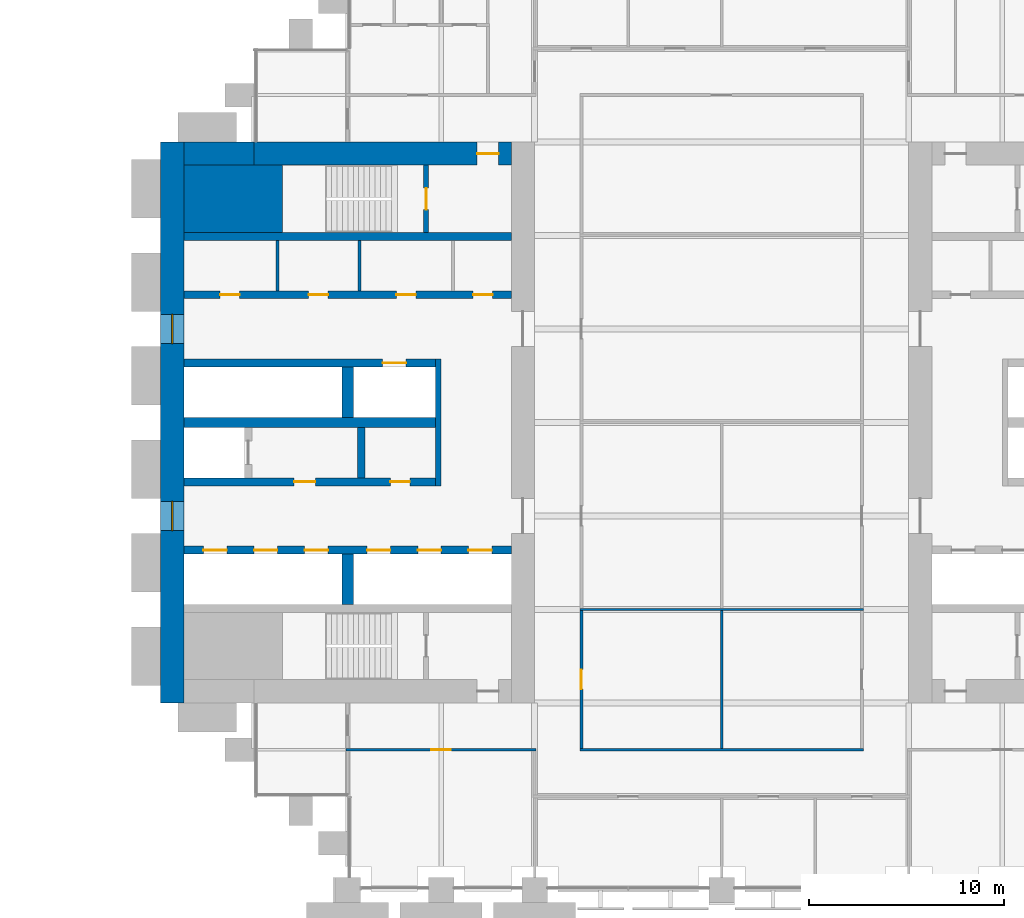
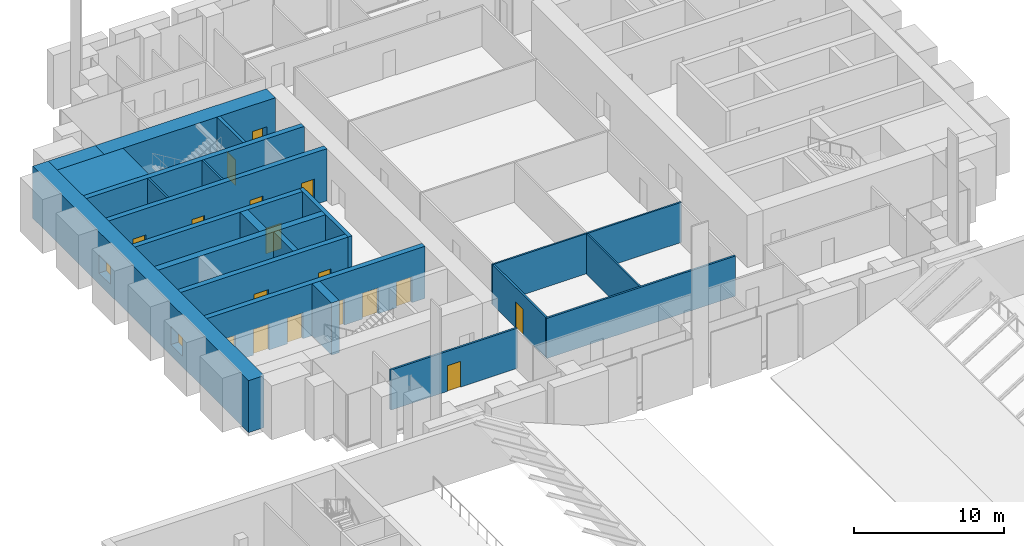
# One storey, part 21 of 32: 22 walls, 17 doors, 2 windows, 19 openings.
"""IFC4 building model written with IfcOpenShell, lengths in metres."""

from ifc_helpers import new_model, si_unit, direction, frame, frame_2d, origin, place, context, subcontext, project, spatial, rectangle, extrude, material, layer, layer_set, type_object, element, fill, save


model = new_model("IFC4")

# Units and contexts
model_context = context("Model", 3, precision=1e-05, world=origin(), true_north=direction((0.0, 1.0)))
body_context = subcontext(model_context, "Body", "Model", "MODEL_VIEW")
ifc_project = project(units=[si_unit("LENGTHUNIT", "METRE"), si_unit("AREAUNIT", "SQUARE_METRE"), si_unit("VOLUMEUNIT", "CUBIC_METRE"), si_unit("PLANEANGLEUNIT", "RADIAN"), si_unit("MASSUNIT", "GRAM", prefix="KILO")], contexts=[model_context])

# Site, building, storey
site_placement = place(None, origin())
site = spatial("IfcSite", under=ifc_project, at=site_placement, CompositionType="ELEMENT")
building_placement = place(site_placement, origin())
building = spatial("IfcBuilding", under=site, at=building_placement, Name="Baori Bourse Tower", CompositionType="ELEMENT")
storey_placement = place(building_placement, frame((0.0, 0.0, 12.60009765625)))
storey = spatial("IfcBuildingStorey", under=building, at=storey_placement, Name="L01", CompositionType="ELEMENT", Elevation=12.60009765625)

# Walls
ifc_material_1 = material(Name="Concrete f'c 70 MPa", Category="concrete")
wall_type_1 = type_object("IfcWallType", Name="Core corner block f'c 70", PredefinedType="SHEAR", material=ifc_material_1)
wall_1_placement = place(storey_placement, frame((1.199951171875, 35.47509765625, 0.0), z_axis=(0.0, 0.0, 1.0), x_axis=(1.0, 0.0, 0.0)))
element("IfcWall", 1, at=wall_1_placement, inside=storey, type_object=wall_type_1, Name="Core wall W22", PredefinedType="SHEAR", context=body_context, shape_type="SweptSolid", body=[
    extrude(rectangle(XDim=5.050048828125, YDim=3.449951171875, at=frame_2d((2.52490234375, 0.0))), origin(), (0.0, 0.0, 1.0), 4.239990234375),
])
ifc_material_2 = material(Name="Blockwork partition", Category="masonry")
ifc_layer_1 = layer(ifc_material_2, 0.14990234375)
ifc_layer_set_1 = layer_set([ifc_layer_1], Name="Core partition 150")
wall_type_2 = type_object("IfcWallType", Name="Core partition 150", PredefinedType="PARTITIONING", material=ifc_layer_set_1)
for number, where, z_axis, x_axis, name in (
    (2, (6.0, 30.75, 0.0), (0.0, 0.0, 1.0), (0.0, 1.0, 0.0), "Partition wall W18"),
    (3, (10.199951171875, 30.75, 0.0), (0.0, 0.0, 1.0), (0.0, 1.0, 0.0), "Partition wall W19"),
):
    element("IfcWall", number, at=place(storey_placement, frame(where, z_axis=z_axis, x_axis=x_axis)), inside=storey, type_object=wall_type_2, Name=name, PredefinedType="PARTITIONING", context=body_context, shape_type="SweptSolid", body=[
        extrude(rectangle(XDim=2.60009765625, YDim=0.14990234375, at=frame_2d((1.300048828125, 0.0))), origin(), (0.0, 0.0, 1.0), 4.239990234375),
    ])

# Wall, openings, windows
ifc_material_3 = material(Name="Concrete f'c 70 MPa", Category="concrete")
ifc_layer_2 = layer(ifc_material_3, 1.199951171875)
ifc_layer_set_2 = layer_set([ifc_layer_2], Name="Core wall 1200 f'c 70")
wall_type_3 = type_object("IfcWallType", Name="Core wall 1200 f'c 70", PredefinedType="SHEAR", material=ifc_layer_set_2)
wall_2_placement = place(storey_placement, frame((0.60009765625, 9.60009765625, 0.0), z_axis=(0.0, 0.0, 1.0), x_axis=(0.0, 1.0, 0.0)))
wall_2 = element("IfcWall", 4, at=wall_2_placement, inside=storey, type_object=wall_type_3, Name="Core wall W01", PredefinedType="SHEAR", context=body_context, shape_type="SweptSolid", body=[
    extrude(rectangle(XDim=28.7998046875, YDim=1.199951171875, at=frame_2d((14.39990234375, 0.0))), origin(), (0.0, 0.0, 1.0), 4.239990234375),
])
opening_1_placement = place(wall_2_placement, frame((8.85009765625, 0.0, 0.89990234375)))
opening_1 = element("IfcOpeningElement", 5, at=opening_1_placement, cuts=wall_2, Name="Opening L01-KW101", PredefinedType="OPENING", context=body_context, shape_type="SweptSolid", body=[
    extrude(rectangle(XDim=1.5, YDim=1.5, at=frame_2d((0.75, 0.75))), frame((0.0, 0.60986328125, 0.0), z_axis=(0.0, -1.0, 0.0), x_axis=(1.0, 0.0, 0.0)), (0.0, 0.0, 1.0), 1.219970703125),
])
opening_2_placement = place(wall_2_placement, frame((18.449951171875, 0.0, 0.89990234375)))
opening_2 = element("IfcOpeningElement", 6, at=opening_2_placement, cuts=wall_2, Name="Opening L01-KW102", PredefinedType="OPENING", context=body_context, shape_type="SweptSolid", body=[
    extrude(rectangle(XDim=1.5, YDim=1.5, at=frame_2d((0.75, 0.75))), frame((0.0, 0.60986328125, 0.0), z_axis=(0.0, -1.0, 0.0), x_axis=(1.0, 0.0, 0.0)), (0.0, 0.0, 1.0), 1.219970703125),
])
ifc_material_4 = material(Name="Pale anodised aluminium", Category="aluminium")
window_type = type_object("IfcWindowType", Name="Lobby window 1500 x 1500", PartitioningType="SINGLE_PANEL", PredefinedType="WINDOW", material=ifc_material_4)
window_1_placement = place(opening_1_placement, origin())
window_1 = element("IfcWindow", 7, at=window_1_placement, inside=storey, type_object=window_type, Name="Outer wall window W L01 1", OverallHeight=1.5, OverallWidth=1.5, PartitioningType="SINGLE_PANEL", PredefinedType="WINDOW", context=body_context, shape_type="SweptSolid", body=[
    extrude(rectangle(XDim=1.5, YDim=1.5, at=frame_2d((0.75, 0.75))), frame((0.0, 0.030029296875, 0.0), z_axis=(0.0, -1.0, 0.0), x_axis=(1.0, 0.0, 0.0)), (0.0, 0.0, 1.0), 0.06005859375),
])
fill(opening_1, window_1)
window_2_placement = place(opening_2_placement, origin())
window_2 = element("IfcWindow", 8, at=window_2_placement, inside=storey, type_object=window_type, Name="Outer wall window W L01 2", OverallHeight=1.5, OverallWidth=1.5, PartitioningType="SINGLE_PANEL", PredefinedType="WINDOW", context=body_context, shape_type="SweptSolid", body=[
    extrude(rectangle(XDim=1.5, YDim=1.5, at=frame_2d((0.75, 0.75))), frame((0.0, 0.030029296875, 0.0), z_axis=(0.0, -1.0, 0.0), x_axis=(1.0, 0.0, 0.0)), (0.0, 0.0, 1.0), 0.06005859375),
])
fill(opening_2, window_2)

# Wall
wall_3_placement = place(storey_placement, frame((1.199951171875, 37.800048828125, 0.0), z_axis=(0.0, 0.0, 1.0), x_axis=(1.0, 0.0, 0.0)))
element("IfcWall", 9, at=wall_3_placement, inside=storey, type_object=wall_type_3, Name="Core wall W24", PredefinedType="SHEAR", context=body_context, shape_type="SweptSolid", body=[
    extrude(rectangle(XDim=3.60009765625, YDim=1.199951171875, at=frame_2d((1.800048828125, 0.0))), origin(), (0.0, 0.0, 1.0), 4.239990234375),
])

# Wall, opening, door
wall_4_placement = place(storey_placement, frame((4.800048828125, 37.800048828125, 0.0), z_axis=(0.0, 0.0, 1.0), x_axis=(1.0, 0.0, 0.0)))
wall_4 = element("IfcWall", 10, at=wall_4_placement, inside=storey, type_object=wall_type_3, Name="Core wall W25", PredefinedType="SHEAR", context=body_context, shape_type="SweptSolid", body=[
    extrude(rectangle(XDim=13.199951171875, YDim=1.199951171875, at=frame_2d((6.60009765625, 0.0))), origin(), (0.0, 0.0, 1.0), 4.239990234375),
])
opening_3_placement = place(wall_4_placement, frame((11.449951171875, 0.0, 0.0)))
opening_3 = element("IfcOpeningElement", 11, at=opening_3_placement, cuts=wall_4, Name="Opening L01-D104", PredefinedType="OPENING", context=body_context, shape_type="SweptSolid", body=[
    extrude(rectangle(XDim=1.10009765625, YDim=2.10009765625, at=frame_2d((0.550048828125, 1.050048828125))), frame((0.0, 0.60986328125, 0.0), z_axis=(0.0, -1.0, 0.0), x_axis=(1.0, 0.0, 0.0)), (0.0, 0.0, 1.0), 1.219970703125),
])
ifc_material_5 = material(Name="Painted steel door", Category="steel")
door_type_1 = type_object("IfcDoorType", Name="Stair door 1100", OperationType="SINGLE_SWING_LEFT", PredefinedType="DOOR", material=ifc_material_5)
door_1_placement = place(opening_3_placement, origin())
door_1 = element("IfcDoor", 12, at=door_1_placement, inside=storey, type_object=door_type_1, Name="Stair vestibule door B W L01", OperationType="SINGLE_SWING_LEFT", OverallHeight=2.10009765625, OverallWidth=1.10009765625, PredefinedType="DOOR", context=body_context, shape_type="SweptSolid", body=[
    extrude(rectangle(XDim=1.10009765625, YDim=2.10009765625, at=frame_2d((0.550048828125, 1.050048828125))), frame((0.0, 0.02490234375, 0.0), z_axis=(0.0, -1.0, 0.0), x_axis=(1.0, 0.0, 0.0)), (0.0, 0.0, 1.0), 0.050048828125),
])
fill(opening_3, door_1)

ifc_material_6 = material(Name="Gypsum board partition")
ifc_layer_3 = layer(ifc_material_6, 0.14990234375)
ifc_layer_set_3 = layer_set([ifc_layer_3], Name="Corridor partition 150")
wall_type_4 = type_object("IfcWallType", Name="Corridor partition 150", PredefinedType="PARTITIONING", material=ifc_layer_set_3)
wall_5_placement = place(storey_placement, frame((9.52490234375, 7.199951171875, 0.0), z_axis=(0.0, 0.0, 1.0), x_axis=(1.0, 0.0, 0.0)))
wall_5 = element("IfcWall", 13, at=wall_5_placement, inside=storey, type_object=wall_type_4, Name="Partition", PredefinedType="PARTITIONING", context=body_context, shape_type="SweptSolid", body=[
    extrude(rectangle(XDim=9.75, YDim=0.14990234375, at=frame_2d((4.875, 0.0))), origin(), (0.0, 0.0, 1.0), 3.26953125),
])
opening_4_placement = place(wall_5_placement, frame((4.375, 0.0, 0.0)))
opening_4 = element("IfcOpeningElement", 14, at=opening_4_placement, cuts=wall_5, Name="Opening L01-D04", PredefinedType="OPENING", context=body_context, shape_type="SweptSolid", body=[
    extrude(rectangle(XDim=1.0, YDim=2.10009765625, at=frame_2d((0.5, 1.050048828125))), frame((0.0, 0.0849609375, 0.0), z_axis=(0.0, -1.0, 0.0), x_axis=(1.0, 0.0, 0.0)), (0.0, 0.0, 1.0), 0.169921875),
])
ifc_material_7 = material(Name="Timber door leaf", Category="wood")
door_type_2 = type_object("IfcDoorType", Name="Door 1000 x 2100", OperationType="SINGLE_SWING_LEFT", PredefinedType="DOOR", material=ifc_material_7)
door_2_placement = place(opening_4_placement, origin())
door_2 = element("IfcDoor", 15, at=door_2_placement, inside=storey, type_object=door_type_2, Name="Door", OperationType="SINGLE_SWING_RIGHT", OverallHeight=2.10009765625, OverallWidth=1.0, PredefinedType="DOOR", context=body_context, shape_type="SweptSolid", body=[
    extrude(rectangle(XDim=1.0, YDim=2.10009765625, at=frame_2d((0.5, 1.050048828125))), frame((0.0, 0.02490234375, 0.0), z_axis=(0.0, -1.0, 0.0), x_axis=(1.0, 0.0, 0.0)), (0.0, 0.0, 1.0), 0.050048828125),
])
fill(opening_4, door_2)

# Wall
wall_6_placement = place(storey_placement, frame((21.52490234375, 7.199951171875, 0.0), z_axis=(0.0, 0.0, 1.0), x_axis=(1.0, 0.0, 0.0)))
element("IfcWall", 16, at=wall_6_placement, inside=storey, type_object=wall_type_4, Name="Partition", PredefinedType="PARTITIONING", context=body_context, shape_type="SweptSolid", body=[
    extrude(rectangle(XDim=14.550048828125, YDim=0.14990234375, at=frame_2d((7.27490234375, 0.0))), origin(), (0.0, 0.0, 1.0), 3.26953125),
])

# Wall, opening, door
wall_7_placement = place(storey_placement, frame((21.60009765625, 7.27490234375, 0.0), z_axis=(0.0, 0.0, 1.0), x_axis=(0.0, 1.0, 0.0)))
wall_7 = element("IfcWall", 17, at=wall_7_placement, inside=storey, type_object=wall_type_4, Name="Partition", PredefinedType="PARTITIONING", context=body_context, shape_type="SweptSolid", body=[
    extrude(rectangle(XDim=7.0625, YDim=0.14990234375, at=frame_2d((3.53125, 0.0))), origin(), (0.0, 0.0, 1.0), 3.26953125),
])
opening_5_placement = place(wall_7_placement, frame((3.03125, 0.0, 0.0)))
opening_5 = element("IfcOpeningElement", 18, at=opening_5_placement, cuts=wall_7, Name="Opening L01-D18", PredefinedType="OPENING", context=body_context, shape_type="SweptSolid", body=[
    extrude(rectangle(XDim=1.0, YDim=2.10009765625, at=frame_2d((0.5, 1.050048828125))), frame((0.0, 0.0849609375, 0.0), z_axis=(0.0, -1.0, 0.0), x_axis=(1.0, 0.0, 0.0)), (0.0, 0.0, 1.0), 0.169921875),
])
door_3_placement = place(opening_5_placement, origin())
door_3 = element("IfcDoor", 19, at=door_3_placement, inside=storey, type_object=door_type_2, Name="Door", OperationType="SINGLE_SWING_LEFT", OverallHeight=2.10009765625, OverallWidth=1.0, PredefinedType="DOOR", context=body_context, shape_type="SweptSolid", body=[
    extrude(rectangle(XDim=1.0, YDim=2.10009765625, at=frame_2d((0.5, 1.050048828125))), frame((0.0, 0.02490234375, 0.0), z_axis=(0.0, -1.0, 0.0), x_axis=(1.0, 0.0, 0.0)), (0.0, 0.0, 1.0), 0.050048828125),
])
fill(opening_5, door_3)

# Walls
ifc_material_8 = material(Name="Gypsum board partition")
ifc_layer_4 = layer(ifc_material_8, 0.125)
ifc_layer_set_4 = layer_set([ifc_layer_4], Name="Partition 125")
wall_type_5 = type_object("IfcWallType", Name="Partition 125", PredefinedType="PARTITIONING", material=ifc_layer_set_4)
wall_8_placement = place(storey_placement, frame((21.52490234375, 14.39990234375, 0.0), z_axis=(0.0, 0.0, 1.0), x_axis=(1.0, 0.0, 0.0)))
element("IfcWall", 20, at=wall_8_placement, inside=storey, type_object=wall_type_5, Name="Partition", PredefinedType="PARTITIONING", context=body_context, shape_type="SweptSolid", body=[
    extrude(rectangle(XDim=14.550048828125, YDim=0.125, at=frame_2d((7.27490234375, 0.0))), origin(), (0.0, 0.0, 1.0), 3.26953125),
])
wall_9_placement = place(storey_placement, frame((28.800048828125, 7.27490234375, 0.0), z_axis=(0.0, 0.0, 1.0), x_axis=(0.0, 1.0, 0.0)))
element("IfcWall", 21, at=wall_9_placement, inside=storey, type_object=wall_type_5, Name="Partition", PredefinedType="PARTITIONING", context=body_context, shape_type="SweptSolid", body=[
    extrude(rectangle(XDim=7.0625, YDim=0.125, at=frame_2d((3.53125, 0.0))), origin(), (0.0, 0.0, 1.0), 3.26953125),
])

# Wall, opening, door
ifc_material_9 = material(Name="Concrete f'c 70 MPa", Category="concrete")
ifc_layer_5 = layer(ifc_material_9, 0.25)
ifc_layer_set_5 = layer_set([ifc_layer_5], Name="Shaft wall 250 f'c 70")
wall_type_6 = type_object("IfcWallType", Name="Shaft wall 250 f'c 70", PredefinedType="SHEAR", material=ifc_layer_set_5)
wall_10_placement = place(storey_placement, frame((13.625, 33.75, 0.0), z_axis=(0.0, 0.0, 1.0), x_axis=(0.0, 1.0, 0.0)))
wall_10 = element("IfcWall", 22, at=wall_10_placement, inside=storey, type_object=wall_type_6, Name="Core wall W23", PredefinedType="SHEAR", context=body_context, shape_type="SweptSolid", body=[
    extrude(rectangle(XDim=3.449951171875, YDim=0.25, at=frame_2d((1.72509765625, 0.0))), origin(), (0.0, 0.0, 1.0), 4.239990234375),
])
opening_6_placement = place(wall_10_placement, frame((1.175048828125, 0.0, 0.0)))
opening_6 = element("IfcOpeningElement", 23, at=opening_6_placement, cuts=wall_10, Name="Opening L01-D103", PredefinedType="OPENING", context=body_context, shape_type="SweptSolid", body=[
    extrude(rectangle(XDim=1.10009765625, YDim=2.10009765625, at=frame_2d((0.550048828125, 1.050048828125))), frame((0.0, 0.135009765625, 0.0), z_axis=(0.0, -1.0, 0.0), x_axis=(1.0, 0.0, 0.0)), (0.0, 0.0, 1.0), 0.27001953125),
])
door_4_placement = place(opening_6_placement, origin())
door_4 = element("IfcDoor", 24, at=door_4_placement, inside=storey, type_object=door_type_1, Name="Stair door B W L01", OperationType="SINGLE_SWING_LEFT", OverallHeight=2.10009765625, OverallWidth=1.10009765625, PredefinedType="DOOR", context=body_context, shape_type="SweptSolid", body=[
    extrude(rectangle(XDim=1.10009765625, YDim=2.10009765625, at=frame_2d((0.550048828125, 1.050048828125))), frame((0.0, 0.02490234375, 0.0), z_axis=(0.0, -1.0, 0.0), x_axis=(1.0, 0.0, 0.0)), (0.0, 0.0, 1.0), 0.050048828125),
])
fill(opening_6, door_4)

# Wall
ifc_material_10 = material(Name="Concrete f'c 70 MPa", Category="concrete")
ifc_layer_6 = layer(ifc_material_10, 0.300048828125)
ifc_layer_set_6 = layer_set([ifc_layer_6], Name="Shaft wall 300 f'c 70")
wall_type_7 = type_object("IfcWallType", Name="Shaft wall 300 f'c 70", PredefinedType="SHEAR", material=ifc_layer_set_6)
wall_11_placement = place(storey_placement, frame((14.25, 20.75, 0.0), z_axis=(0.0, 0.0, 1.0), x_axis=(0.0, 1.0, 0.0)))
element("IfcWall", 25, at=wall_11_placement, inside=storey, type_object=wall_type_7, Name="Core wall W11", PredefinedType="SHEAR", context=body_context, shape_type="SweptSolid", body=[
    extrude(rectangle(XDim=6.5, YDim=0.300048828125, at=frame_2d((3.25, 0.0))), origin(), (0.0, 0.0, 1.0), 4.239990234375),
])

# Wall, openings, doors
ifc_material_11 = material(Name="Concrete f'c 70 MPa", Category="concrete")
ifc_layer_7 = layer(ifc_material_11, 0.39990234375)
ifc_layer_set_7 = layer_set([ifc_layer_7], Name="Shaft wall 400 f'c 70")
wall_type_8 = type_object("IfcWallType", Name="Shaft wall 400 f'c 70", PredefinedType="SHEAR", material=ifc_layer_set_7)
wall_12_placement = place(storey_placement, frame((1.199951171875, 17.449951171875, 0.0), z_axis=(0.0, 0.0, 1.0), x_axis=(1.0, 0.0, 0.0)))
wall_12 = element("IfcWall", 26, at=wall_12_placement, inside=storey, type_object=wall_type_8, Name="Core wall W09", PredefinedType="SHEAR", context=body_context, shape_type="SweptSolid", body=[
    extrude(rectangle(XDim=16.800048828125, YDim=0.39990234375, at=frame_2d((8.39990234375, 0.0))), origin(), (0.0, 0.0, 1.0), 4.239990234375),
])
opening_7_placement = place(wall_12_placement, frame((1.0, 0.0, 0.0)))
opening_7 = element("IfcOpeningElement", 27, at=opening_7_placement, cuts=wall_12, Name="Opening L01-D113", PredefinedType="OPENING", context=body_context, shape_type="SweptSolid", body=[
    extrude(rectangle(XDim=1.199951171875, YDim=2.10009765625, at=frame_2d((0.60009765625, 1.050048828125))), frame((0.0, 0.2099609375, 0.0), z_axis=(0.0, -1.0, 0.0), x_axis=(1.0, 0.0, 0.0)), (0.0, 0.0, 1.0), 0.419921875),
])
opening_8_placement = place(wall_12_placement, frame((3.60009765625, 0.0, 0.0)))
opening_8 = element("IfcOpeningElement", 28, at=opening_8_placement, cuts=wall_12, Name="Opening L01-D114", PredefinedType="OPENING", context=body_context, shape_type="SweptSolid", body=[
    extrude(rectangle(XDim=1.199951171875, YDim=2.10009765625, at=frame_2d((0.60009765625, 1.050048828125))), frame((0.0, 0.2099609375, 0.0), z_axis=(0.0, -1.0, 0.0), x_axis=(1.0, 0.0, 0.0)), (0.0, 0.0, 1.0), 0.419921875),
])
opening_9_placement = place(wall_12_placement, frame((6.199951171875, 0.0, 0.0)))
opening_9 = element("IfcOpeningElement", 29, at=opening_9_placement, cuts=wall_12, Name="Opening L01-D115", PredefinedType="OPENING", context=body_context, shape_type="SweptSolid", body=[
    extrude(rectangle(XDim=1.199951171875, YDim=2.10009765625, at=frame_2d((0.60009765625, 1.050048828125))), frame((0.0, 0.2099609375, 0.0), z_axis=(0.0, -1.0, 0.0), x_axis=(1.0, 0.0, 0.0)), (0.0, 0.0, 1.0), 0.419921875),
])
opening_10_placement = place(wall_12_placement, frame((9.39990234375, 0.0, 0.0)))
opening_10 = element("IfcOpeningElement", 30, at=opening_10_placement, cuts=wall_12, Name="Opening L01-D116", PredefinedType="OPENING", context=body_context, shape_type="SweptSolid", body=[
    extrude(rectangle(XDim=1.199951171875, YDim=2.10009765625, at=frame_2d((0.60009765625, 1.050048828125))), frame((0.0, 0.2099609375, 0.0), z_axis=(0.0, -1.0, 0.0), x_axis=(1.0, 0.0, 0.0)), (0.0, 0.0, 1.0), 0.419921875),
])
opening_11_placement = place(wall_12_placement, frame((12.0, 0.0, 0.0)))
opening_11 = element("IfcOpeningElement", 31, at=opening_11_placement, cuts=wall_12, Name="Opening L01-D117", PredefinedType="OPENING", context=body_context, shape_type="SweptSolid", body=[
    extrude(rectangle(XDim=1.199951171875, YDim=2.10009765625, at=frame_2d((0.60009765625, 1.050048828125))), frame((0.0, 0.2099609375, 0.0), z_axis=(0.0, -1.0, 0.0), x_axis=(1.0, 0.0, 0.0)), (0.0, 0.0, 1.0), 0.419921875),
])
opening_12_placement = place(wall_12_placement, frame((14.60009765625, 0.0, 0.0)))
opening_12 = element("IfcOpeningElement", 32, at=opening_12_placement, cuts=wall_12, Name="Opening L01-D118", PredefinedType="OPENING", context=body_context, shape_type="SweptSolid", body=[
    extrude(rectangle(XDim=1.199951171875, YDim=2.10009765625, at=frame_2d((0.60009765625, 1.050048828125))), frame((0.0, 0.2099609375, 0.0), z_axis=(0.0, -1.0, 0.0), x_axis=(1.0, 0.0, 0.0)), (0.0, 0.0, 1.0), 0.419921875),
])
ifc_material_12 = material(Name="Stainless steel door", Category="steel")
door_type_3 = type_object("IfcDoorType", Name="Lift landing door", OperationType="DOUBLE_DOOR_SLIDING", PredefinedType="DOOR", material=ifc_material_12)
door_5_placement = place(opening_7_placement, origin())
door_5 = element("IfcDoor", 33, at=door_5_placement, inside=storey, type_object=door_type_3, Name="Lift landing door LR1 W L01", OperationType="DOUBLE_DOOR_SLIDING", OverallHeight=2.10009765625, OverallWidth=1.199951171875, PredefinedType="DOOR", context=body_context, shape_type="SweptSolid", body=[
    extrude(rectangle(XDim=1.199951171875, YDim=2.10009765625, at=frame_2d((0.60009765625, 1.050048828125))), frame((0.0, 0.02490234375, 0.0), z_axis=(0.0, -1.0, 0.0), x_axis=(1.0, 0.0, 0.0)), (0.0, 0.0, 1.0), 0.050048828125),
])
fill(opening_7, door_5)
door_6_placement = place(opening_8_placement, origin())
door_6 = element("IfcDoor", 34, at=door_6_placement, inside=storey, type_object=door_type_3, Name="Lift landing door LR2 W L01", OperationType="DOUBLE_DOOR_SLIDING", OverallHeight=2.10009765625, OverallWidth=1.199951171875, PredefinedType="DOOR", context=body_context, shape_type="SweptSolid", body=[
    extrude(rectangle(XDim=1.199951171875, YDim=2.10009765625, at=frame_2d((0.60009765625, 1.050048828125))), frame((0.0, 0.02490234375, 0.0), z_axis=(0.0, -1.0, 0.0), x_axis=(1.0, 0.0, 0.0)), (0.0, 0.0, 1.0), 0.050048828125),
])
fill(opening_8, door_6)
door_7_placement = place(opening_9_placement, origin())
door_7 = element("IfcDoor", 35, at=door_7_placement, inside=storey, type_object=door_type_3, Name="Lift landing door LR3 W L01", OperationType="DOUBLE_DOOR_SLIDING", OverallHeight=2.10009765625, OverallWidth=1.199951171875, PredefinedType="DOOR", context=body_context, shape_type="SweptSolid", body=[
    extrude(rectangle(XDim=1.199951171875, YDim=2.10009765625, at=frame_2d((0.60009765625, 1.050048828125))), frame((0.0, 0.02490234375, 0.0), z_axis=(0.0, -1.0, 0.0), x_axis=(1.0, 0.0, 0.0)), (0.0, 0.0, 1.0), 0.050048828125),
])
fill(opening_9, door_7)
door_8_placement = place(opening_10_placement, origin())
door_8 = element("IfcDoor", 36, at=door_8_placement, inside=storey, type_object=door_type_3, Name="Lift landing door LR4 W L01", OperationType="DOUBLE_DOOR_SLIDING", OverallHeight=2.10009765625, OverallWidth=1.199951171875, PredefinedType="DOOR", context=body_context, shape_type="SweptSolid", body=[
    extrude(rectangle(XDim=1.199951171875, YDim=2.10009765625, at=frame_2d((0.60009765625, 1.050048828125))), frame((0.0, 0.02490234375, 0.0), z_axis=(0.0, -1.0, 0.0), x_axis=(1.0, 0.0, 0.0)), (0.0, 0.0, 1.0), 0.050048828125),
])
fill(opening_10, door_8)
door_9_placement = place(opening_11_placement, origin())
door_9 = element("IfcDoor", 37, at=door_9_placement, inside=storey, type_object=door_type_3, Name="Lift landing door LR5 W L01", OperationType="DOUBLE_DOOR_SLIDING", OverallHeight=2.10009765625, OverallWidth=1.199951171875, PredefinedType="DOOR", context=body_context, shape_type="SweptSolid", body=[
    extrude(rectangle(XDim=1.199951171875, YDim=2.10009765625, at=frame_2d((0.60009765625, 1.050048828125))), frame((0.0, 0.02490234375, 0.0), z_axis=(0.0, -1.0, 0.0), x_axis=(1.0, 0.0, 0.0)), (0.0, 0.0, 1.0), 0.050048828125),
])
fill(opening_11, door_9)
door_10_placement = place(opening_12_placement, origin())
door_10 = element("IfcDoor", 38, at=door_10_placement, inside=storey, type_object=door_type_3, Name="Lift landing door LR6 W L01", OperationType="DOUBLE_DOOR_SLIDING", OverallHeight=2.10009765625, OverallWidth=1.199951171875, PredefinedType="DOOR", context=body_context, shape_type="SweptSolid", body=[
    extrude(rectangle(XDim=1.199951171875, YDim=2.10009765625, at=frame_2d((0.60009765625, 1.050048828125))), frame((0.0, 0.02490234375, 0.0), z_axis=(0.0, -1.0, 0.0), x_axis=(1.0, 0.0, 0.0)), (0.0, 0.0, 1.0), 0.050048828125),
])
fill(opening_12, door_10)

wall_13_placement = place(storey_placement, frame((1.199951171875, 20.949951171875, 0.0), z_axis=(0.0, 0.0, 1.0), x_axis=(1.0, 0.0, 0.0)))
wall_13 = element("IfcWall", 39, at=wall_13_placement, inside=storey, type_object=wall_type_8, Name="Core wall W10", PredefinedType="SHEAR", context=body_context, shape_type="SweptSolid", body=[
    extrude(rectangle(XDim=12.900146484375, YDim=0.39990234375, at=frame_2d((6.4501953125, 0.0))), origin(), (0.0, 0.0, 1.0), 4.239990234375),
])
opening_13_placement = place(wall_13_placement, frame((5.64990234375, 0.0, 0.0)))
opening_13 = element("IfcOpeningElement", 40, at=opening_13_placement, cuts=wall_13, Name="Opening L01-D105", PredefinedType="OPENING", context=body_context, shape_type="SweptSolid", body=[
    extrude(rectangle(XDim=1.10009765625, YDim=2.10009765625, at=frame_2d((0.550048828125, 1.050048828125))), frame((0.0, 0.2099609375, 0.0), z_axis=(0.0, -1.0, 0.0), x_axis=(1.0, 0.0, 0.0)), (0.0, 0.0, 1.0), 0.419921875),
])
opening_14_placement = place(wall_13_placement, frame((10.60009765625, 0.0, 0.0)))
opening_14 = element("IfcOpeningElement", 41, at=opening_14_placement, cuts=wall_13, Name="Opening L01-D106", PredefinedType="OPENING", context=body_context, shape_type="SweptSolid", body=[
    extrude(rectangle(XDim=1.0, YDim=2.10009765625, at=frame_2d((0.5, 1.050048828125))), frame((0.0, 0.2099609375, 0.0), z_axis=(0.0, -1.0, 0.0), x_axis=(1.0, 0.0, 0.0)), (0.0, 0.0, 1.0), 0.419921875),
])
ifc_material_13 = material(Name="Painted steel door", Category="steel")
door_type_4 = type_object("IfcDoorType", Name="Lobby door 1100", OperationType="SINGLE_SWING_LEFT", PredefinedType="DOOR", material=ifc_material_13)
door_11_placement = place(opening_13_placement, origin())
door_11 = element("IfcDoor", 42, at=door_11_placement, inside=storey, type_object=door_type_4, Name="Firefighting lobby door W L01", OperationType="SINGLE_SWING_LEFT", OverallHeight=2.10009765625, OverallWidth=1.10009765625, PredefinedType="DOOR", context=body_context, shape_type="SweptSolid", body=[
    extrude(rectangle(XDim=1.10009765625, YDim=2.10009765625, at=frame_2d((0.550048828125, 1.050048828125))), frame((0.0, 0.02490234375, 0.0), z_axis=(0.0, -1.0, 0.0), x_axis=(1.0, 0.0, 0.0)), (0.0, 0.0, 1.0), 0.050048828125),
])
fill(opening_13, door_11)
ifc_material_14 = material(Name="Painted steel door", Category="steel")
door_type_5 = type_object("IfcDoorType", Name="Shaft door 1000", OperationType="SINGLE_SWING_LEFT", PredefinedType="DOOR", material=ifc_material_14)
door_12_placement = place(opening_14_placement, origin())
door_12 = element("IfcDoor", 43, at=door_12_placement, inside=storey, type_object=door_type_5, Name="Riser room door W L01", OperationType="SINGLE_SWING_LEFT", OverallHeight=2.10009765625, OverallWidth=1.0, PredefinedType="DOOR", context=body_context, shape_type="SweptSolid", body=[
    extrude(rectangle(XDim=1.0, YDim=2.10009765625, at=frame_2d((0.5, 1.050048828125))), frame((0.0, 0.02490234375, 0.0), z_axis=(0.0, -1.0, 0.0), x_axis=(1.0, 0.0, 0.0)), (0.0, 0.0, 1.0), 0.050048828125),
])
fill(opening_14, door_12)

# Wall
wall_14_placement = place(storey_placement, frame((10.300048828125, 21.14990234375, 0.0), z_axis=(0.0, 0.0, 1.0), x_axis=(0.0, 1.0, 0.0)))
element("IfcWall", 44, at=wall_14_placement, inside=storey, type_object=wall_type_8, Name="Core wall W13", PredefinedType="SHEAR", context=body_context, shape_type="SweptSolid", body=[
    extrude(rectangle(XDim=2.60009765625, YDim=0.39990234375, at=frame_2d((1.300048828125, 0.0))), origin(), (0.0, 0.0, 1.0), 4.239990234375),
])

# Wall, opening, door
wall_15_placement = place(storey_placement, frame((1.199951171875, 27.050048828125, 0.0), z_axis=(0.0, 0.0, 1.0), x_axis=(1.0, 0.0, 0.0)))
wall_15 = element("IfcWall", 45, at=wall_15_placement, inside=storey, type_object=wall_type_8, Name="Core wall W16", PredefinedType="SHEAR", context=body_context, shape_type="SweptSolid", body=[
    extrude(rectangle(XDim=12.900146484375, YDim=0.39990234375, at=frame_2d((6.4501953125, 0.0))), origin(), (0.0, 0.0, 1.0), 4.239990234375),
])
opening_15_placement = place(wall_15_placement, frame((10.199951171875, 0.0, 0.0)))
opening_15 = element("IfcOpeningElement", 46, at=opening_15_placement, cuts=wall_15, Name="Opening L01-D119", PredefinedType="OPENING", context=body_context, shape_type="SweptSolid", body=[
    extrude(rectangle(XDim=1.199951171875, YDim=2.10009765625, at=frame_2d((0.60009765625, 1.050048828125))), frame((0.0, 0.2099609375, 0.0), z_axis=(0.0, -1.0, 0.0), x_axis=(1.0, 0.0, 0.0)), (0.0, 0.0, 1.0), 0.419921875),
])
door_13_placement = place(opening_15_placement, origin())
door_13 = element("IfcDoor", 47, at=door_13_placement, inside=storey, type_object=door_type_3, Name="Lift landing door SV1 W L01", OperationType="DOUBLE_DOOR_SLIDING", OverallHeight=2.10009765625, OverallWidth=1.199951171875, PredefinedType="DOOR", context=body_context, shape_type="SweptSolid", body=[
    extrude(rectangle(XDim=1.199951171875, YDim=2.10009765625, at=frame_2d((0.60009765625, 1.050048828125))), frame((0.0, 0.02490234375, 0.0), z_axis=(0.0, -1.0, 0.0), x_axis=(1.0, 0.0, 0.0)), (0.0, 0.0, 1.0), 0.050048828125),
])
fill(opening_15, door_13)

# Wall, openings, doors
wall_16_placement = place(storey_placement, frame((1.199951171875, 30.550048828125, 0.0), z_axis=(0.0, 0.0, 1.0), x_axis=(1.0, 0.0, 0.0)))
wall_16 = element("IfcWall", 48, at=wall_16_placement, inside=storey, type_object=wall_type_8, Name="Core wall W17", PredefinedType="SHEAR", context=body_context, shape_type="SweptSolid", body=[
    extrude(rectangle(XDim=16.800048828125, YDim=0.39990234375, at=frame_2d((8.39990234375, 0.0))), origin(), (0.0, 0.0, 1.0), 4.239990234375),
])
opening_16_placement = place(wall_16_placement, frame((1.862548828125, 0.0, 0.0)))
opening_16 = element("IfcOpeningElement", 49, at=opening_16_placement, cuts=wall_16, Name="Opening L01-D109", PredefinedType="OPENING", context=body_context, shape_type="SweptSolid", body=[
    extrude(rectangle(XDim=1.0, YDim=2.10009765625, at=frame_2d((0.5, 1.050048828125))), frame((0.0, 0.2099609375, 0.0), z_axis=(0.0, -1.0, 0.0), x_axis=(1.0, 0.0, 0.0)), (0.0, 0.0, 1.0), 0.419921875),
])
opening_17_placement = place(wall_16_placement, frame((6.39990234375, 0.0, 0.0)))
opening_17 = element("IfcOpeningElement", 50, at=opening_17_placement, cuts=wall_16, Name="Opening L01-D110", PredefinedType="OPENING", context=body_context, shape_type="SweptSolid", body=[
    extrude(rectangle(XDim=1.0, YDim=2.10009765625, at=frame_2d((0.5, 1.050048828125))), frame((0.0, 0.2099609375, 0.0), z_axis=(0.0, -1.0, 0.0), x_axis=(1.0, 0.0, 0.0)), (0.0, 0.0, 1.0), 0.419921875),
])
opening_18_placement = place(wall_16_placement, frame((10.89990234375, 0.0, 0.0)))
opening_18 = element("IfcOpeningElement", 51, at=opening_18_placement, cuts=wall_16, Name="Opening L01-D111", PredefinedType="OPENING", context=body_context, shape_type="SweptSolid", body=[
    extrude(rectangle(XDim=1.0, YDim=2.10009765625, at=frame_2d((0.5, 1.050048828125))), frame((0.0, 0.2099609375, 0.0), z_axis=(0.0, -1.0, 0.0), x_axis=(1.0, 0.0, 0.0)), (0.0, 0.0, 1.0), 0.419921875),
])
opening_19_placement = place(wall_16_placement, frame((14.83740234375, 0.0, 0.0)))
opening_19 = element("IfcOpeningElement", 52, at=opening_19_placement, cuts=wall_16, Name="Opening L01-D112", PredefinedType="OPENING", context=body_context, shape_type="SweptSolid", body=[
    extrude(rectangle(XDim=1.0, YDim=2.10009765625, at=frame_2d((0.5, 1.050048828125))), frame((0.0, 0.2099609375, 0.0), z_axis=(0.0, -1.0, 0.0), x_axis=(1.0, 0.0, 0.0)), (0.0, 0.0, 1.0), 0.419921875),
])
ifc_material_15 = material(Name="Painted steel door", Category="steel")
door_type_6 = type_object("IfcDoorType", Name="Core door 1000", OperationType="SINGLE_SWING_LEFT", PredefinedType="DOOR", material=ifc_material_15)
door_14_placement = place(opening_16_placement, origin())
door_14 = element("IfcDoor", 53, at=door_14_placement, inside=storey, type_object=door_type_6, Name="Men'S Wc door W L01", OperationType="SINGLE_SWING_LEFT", OverallHeight=2.10009765625, OverallWidth=1.0, PredefinedType="DOOR", context=body_context, shape_type="SweptSolid", body=[
    extrude(rectangle(XDim=1.0, YDim=2.10009765625, at=frame_2d((0.5, 1.050048828125))), frame((0.0, 0.02490234375, 0.0), z_axis=(0.0, -1.0, 0.0), x_axis=(1.0, 0.0, 0.0)), (0.0, 0.0, 1.0), 0.050048828125),
])
fill(opening_16, door_14)
door_15_placement = place(opening_17_placement, origin())
door_15 = element("IfcDoor", 54, at=door_15_placement, inside=storey, type_object=door_type_6, Name="Accessible Wc door W L01", OperationType="SINGLE_SWING_LEFT", OverallHeight=2.10009765625, OverallWidth=1.0, PredefinedType="DOOR", context=body_context, shape_type="SweptSolid", body=[
    extrude(rectangle(XDim=1.0, YDim=2.10009765625, at=frame_2d((0.5, 1.050048828125))), frame((0.0, 0.02490234375, 0.0), z_axis=(0.0, -1.0, 0.0), x_axis=(1.0, 0.0, 0.0)), (0.0, 0.0, 1.0), 0.050048828125),
])
fill(opening_17, door_15)
door_16_placement = place(opening_18_placement, origin())
door_16 = element("IfcDoor", 55, at=door_16_placement, inside=storey, type_object=door_type_6, Name="Women'S Wc door W L01", OperationType="SINGLE_SWING_LEFT", OverallHeight=2.10009765625, OverallWidth=1.0, PredefinedType="DOOR", context=body_context, shape_type="SweptSolid", body=[
    extrude(rectangle(XDim=1.0, YDim=2.10009765625, at=frame_2d((0.5, 1.050048828125))), frame((0.0, 0.02490234375, 0.0), z_axis=(0.0, -1.0, 0.0), x_axis=(1.0, 0.0, 0.0)), (0.0, 0.0, 1.0), 0.050048828125),
])
fill(opening_18, door_16)
ifc_material_16 = material(Name="Painted steel door", Category="steel")
door_type_7 = type_object("IfcDoorType", Name="Plant room door 1000", OperationType="SINGLE_SWING_LEFT", PredefinedType="DOOR", material=ifc_material_16)
door_17_placement = place(opening_19_placement, origin())
door_17 = element("IfcDoor", 56, at=door_17_placement, inside=storey, type_object=door_type_7, Name="Electrical Room door W L01", OperationType="SINGLE_SWING_LEFT", OverallHeight=2.10009765625, OverallWidth=1.0, PredefinedType="DOOR", context=body_context, shape_type="SweptSolid", body=[
    extrude(rectangle(XDim=1.0, YDim=2.10009765625, at=frame_2d((0.5, 1.050048828125))), frame((0.0, 0.02490234375, 0.0), z_axis=(0.0, -1.0, 0.0), x_axis=(1.0, 0.0, 0.0)), (0.0, 0.0, 1.0), 0.050048828125),
])
fill(opening_19, door_17)

# Walls
wall_17_placement = place(storey_placement, frame((1.199951171875, 33.550048828125, 0.0), z_axis=(0.0, 0.0, 1.0), x_axis=(1.0, 0.0, 0.0)))
element("IfcWall", 57, at=wall_17_placement, inside=storey, type_object=wall_type_8, Name="Core wall W21", PredefinedType="SHEAR", context=body_context, shape_type="SweptSolid", body=[
    extrude(rectangle(XDim=16.800048828125, YDim=0.39990234375, at=frame_2d((8.39990234375, 0.0))), origin(), (0.0, 0.0, 1.0), 4.239990234375),
])
ifc_material_17 = material(Name="Concrete f'c 70 MPa", Category="concrete")
ifc_layer_8 = layer(ifc_material_17, 0.5)
ifc_layer_set_8 = layer_set([ifc_layer_8], Name="Shaft wall 500 f'c 70")
wall_type_9 = type_object("IfcWallType", Name="Shaft wall 500 f'c 70", PredefinedType="SHEAR", material=ifc_layer_set_8)
wall_18_placement = place(storey_placement, frame((1.199951171875, 24.0, 0.0), z_axis=(0.0, 0.0, 1.0), x_axis=(1.0, 0.0, 0.0)))
element("IfcWall", 58, at=wall_18_placement, inside=storey, type_object=wall_type_9, Name="Core wall W14", PredefinedType="SHEAR", context=body_context, shape_type="SweptSolid", body=[
    extrude(rectangle(XDim=12.900146484375, YDim=0.5, at=frame_2d((6.4501953125, 0.0))), origin(), (0.0, 0.0, 1.0), 4.239990234375),
])
ifc_material_18 = material(Name="Concrete f'c 70 MPa", Category="concrete")
ifc_layer_9 = layer(ifc_material_18, 0.60009765625)
ifc_layer_set_9 = layer_set([ifc_layer_9], Name="Shaft wall 600 f'c 70")
wall_type_10 = type_object("IfcWallType", Name="Shaft wall 600 f'c 70", PredefinedType="SHEAR", material=ifc_layer_set_9)
for number, where, z_axis, x_axis, name in (
    (59, (9.60009765625, 14.64990234375, 0.0), (0.0, 0.0, 1.0), (0.0, 1.0, 0.0), "Core wall W08"),
    (60, (9.60009765625, 24.25, 0.0), (0.0, 0.0, 1.0), (0.0, 1.0, 0.0), "Core wall W15"),
):
    element("IfcWall", number, at=place(storey_placement, frame(where, z_axis=z_axis, x_axis=x_axis)), inside=storey, type_object=wall_type_10, Name=name, PredefinedType="SHEAR", context=body_context, shape_type="SweptSolid", body=[
        extrude(rectangle(XDim=2.60009765625, YDim=0.60009765625, at=frame_2d((1.300048828125, 0.0))), origin(), (0.0, 0.0, 1.0), 4.239990234375),
    ])

save(model, "model.ifc")
